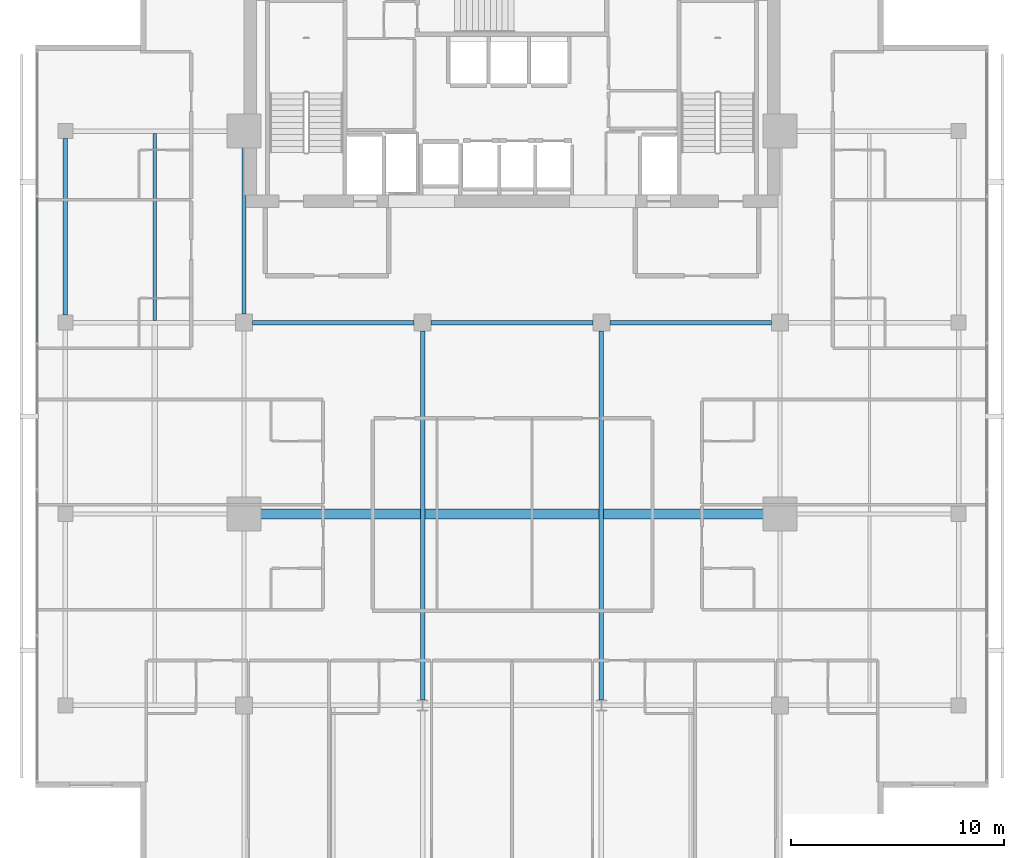
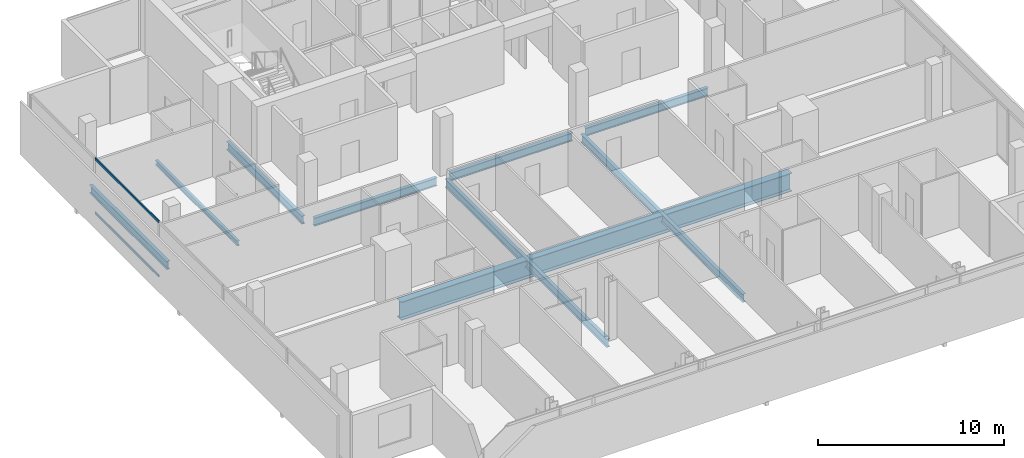
# One storey, part 9 of 25: 9 beams, 2 members, 1 element without a shape of its own.
"""IFC4 building model written with IfcOpenShell, lengths in metres."""

from ifc_helpers import new_model, si_unit, direction, frame, origin, origin_2d, place, context, subcontext, project, spatial, hollow_rectangle, i_section, extrude, material, layer, layer_set, material_profile, profile_set, type_object, element, aggregate, save


model = new_model("IFC4")

# Units and contexts
model_context = context("Model", 3, precision=1e-05, world=origin(), true_north=direction((0.0, 1.0)))
body_context = subcontext(model_context, "Body", "Model", "MODEL_VIEW")
ifc_project = project(units=[si_unit("LENGTHUNIT", "METRE"), si_unit("AREAUNIT", "SQUARE_METRE"), si_unit("VOLUMEUNIT", "CUBIC_METRE"), si_unit("PLANEANGLEUNIT", "RADIAN"), si_unit("MASSUNIT", "GRAM", prefix="KILO")], contexts=[model_context])

# Site, building, storey
site_placement = place(None, origin())
site = spatial("IfcSite", under=ifc_project, at=site_placement, CompositionType="ELEMENT")
building_placement = place(site_placement, origin())
building = spatial("IfcBuilding", under=site, at=building_placement, Name="Maruvema Waterfront Hotel and Observation Tower", CompositionType="ELEMENT")
storey_placement = place(building_placement, frame((0.0, 0.0, 250.949951171875)))
storey = spatial("IfcBuildingStorey", under=building, at=storey_placement, Name="L61", CompositionType="ELEMENT", Elevation=250.949951171875)

# Curtain wall, members
ifc_material_1 = material(Name="Anodised bronze aluminium and solar-control low-E IGU", Category="aluminium")
ifc_layer = layer(ifc_material_1, 0.159912109375, Name="Zone 3 Champagne Inner Thermal Curtain Wall System CW-04")
ifc_layer_set = layer_set([ifc_layer], Name="Anodised bronze aluminium and solar-control low-E IGU")
curtain_wall_type = type_object("IfcCurtainWallType", Name="Zone 3 Champagne Inner Thermal Curtain Wall System CW-04", PredefinedType="USERDEFINED", material=ifc_layer_set)
curtain_wall_placement = place(storey_placement, origin())
curtain_wall = element("IfcCurtainWall", 1, at=curtain_wall_placement, inside=storey, type_object=curtain_wall_type, Name="L61 Curtain Wall CW-L61-W", ObjectType="UNITISED CURTAIN WALL", PredefinedType="USERDEFINED")
ifc_material_2 = material(Name="Anodised architectural bronze aluminium", Category="aluminium")
ifc_material_profile_1 = material_profile(ifc_material_2, hollow_rectangle(XDim=0.070068359375, YDim=0.14990234375, WallThickness=0.00390625, at=origin_2d()), Name="ALU-T70x150")
ifc_profile_set_1 = profile_set([ifc_material_profile_1], Name="Anodised architectural bronze aluminium")
member_type = type_object("IfcMemberType", Name="Curtain Wall Horizontal Transom ALU-T70x150", PredefinedType="USERDEFINED", material=ifc_profile_set_1)
member_1_placement = place(storey_placement, frame((15.47998046875, 41.889892578125, 0.030029296875), z_axis=(0.0, -1.0, 0.0), x_axis=(1.0, 0.0, 0.0)))
member_1 = element("IfcMember", 2, at=member_1_placement, type_object=member_type, Name="CW-04 transom 2.1", ObjectType="TRANSOM", PredefinedType="USERDEFINED", context=body_context, shape_type="SweptSolid", body=[
    extrude(hollow_rectangle(XDim=0.070068359375, YDim=0.14990234375, WallThickness=0.00390625, at=origin_2d()), origin(), (0.0, 0.0, 1.0), 6.81982421875),
])
member_2_placement = place(storey_placement, frame((15.47998046875, 41.889892578125, 3.580078125), z_axis=(0.0, -1.0, 0.0), x_axis=(1.0, 0.0, 0.0)))
member_2 = element("IfcMember", 3, at=member_2_placement, type_object=member_type, Name="CW-04 transom 2.2", ObjectType="TRANSOM", PredefinedType="USERDEFINED", context=body_context, shape_type="SweptSolid", body=[
    extrude(hollow_rectangle(XDim=0.070068359375, YDim=0.14990234375, WallThickness=0.00390625, at=origin_2d()), origin(), (0.0, 0.0, 1.0), 6.81982421875),
])
aggregate(curtain_wall, [member_1, member_2])

# Beams
ifc_material_3 = material(Name="Steel ASTM A572 Grade 50", Category="steel")
ifc_material_profile_2 = material_profile(ifc_material_3, i_section(OverallWidth=0.208984375, OverallDepth=0.532958984375, WebThickness=0.01025390625, FlangeThickness=0.015625, FilletRadius=0.014892578125, at=origin_2d()), Name="W530x92.0")
ifc_profile_set_2 = profile_set([ifc_material_profile_2], Name="Steel ASTM A572 Grade 50")
beam_type_1 = type_object("IfcBeamType", Name="Primary Floor Girder W530x92.0", PredefinedType="BEAM", material=ifc_profile_set_2)
beam_1_placement = place(storey_placement, frame((25.60009765625, 36.0, -0.50634765625), z_axis=(1.0, 0.0, 0.0), x_axis=(0.0, 1.0, 0.0)))
element("IfcBeam", 4, at=beam_1_placement, inside=storey, type_object=beam_type_1, Name="L61 Floor Girder EW-13", PredefinedType="BEAM", context=body_context, shape_type="SweptSolid", body=[
    extrude(i_section(OverallWidth=0.208984375, OverallDepth=0.532958984375, WebThickness=0.01025390625, FlangeThickness=0.015625, FilletRadius=0.014892578125, at=origin_2d()), origin(), (0.0, 0.0, 1.0), 7.599853515625),
])
for number, where, z_axis, x_axis, name in (
    (5, (34.0, 36.0, -0.50634765625), (1.0, 0.0, 0.0), (0.0, 1.0, 0.0), "L61 Floor Girder EW-14"),
    (6, (42.39990234375, 36.0, -0.50634765625), (1.0, 0.0, 0.0), (0.0, 1.0, 0.0), "L61 Floor Girder EW-15"),
):
    element("IfcBeam", number, at=place(storey_placement, frame(where, z_axis=z_axis, x_axis=x_axis)), inside=storey, type_object=beam_type_1, Name=name, PredefinedType="BEAM", context=body_context, shape_type="SweptSolid", body=[
        extrude(i_section(OverallWidth=0.208984375, OverallDepth=0.532958984375, WebThickness=0.01025390625, FlangeThickness=0.015625, FilletRadius=0.014892578125, at=origin_2d()), origin(), (0.0, 0.0, 1.0), 7.60009765625),
    ])
beam_2_placement = place(storey_placement, frame((16.800048828125, 36.35009765625, -0.50634765625), z_axis=(0.0, 1.0, 0.0), x_axis=(-1.0, 0.0, 0.0)))
element("IfcBeam", 7, at=beam_2_placement, inside=storey, type_object=beam_type_1, Name="L61 Floor Girder NS-03", PredefinedType="BEAM", context=body_context, shape_type="SweptSolid", body=[
    extrude(i_section(OverallWidth=0.208984375, OverallDepth=0.532958984375, WebThickness=0.01025390625, FlangeThickness=0.015625, FilletRadius=0.014892578125, at=origin_2d()), origin(), (0.0, 0.0, 1.0), 8.2998046875),
])
beam_3_placement = place(storey_placement, frame((25.199951171875, 36.39990234375, -0.50634765625), z_axis=(0.0, 1.0, 0.0), x_axis=(-1.0, 0.0, 0.0)))
element("IfcBeam", 8, at=beam_3_placement, inside=storey, type_object=beam_type_1, Name="L61 Floor Girder NS-07", PredefinedType="BEAM", context=body_context, shape_type="SweptSolid", body=[
    extrude(i_section(OverallWidth=0.208984375, OverallDepth=0.532958984375, WebThickness=0.01025390625, FlangeThickness=0.015625, FilletRadius=0.014892578125, at=origin_2d()), origin(), (0.0, 0.0, 1.0), 8.10009765625),
])
for number, where, z_axis, x_axis, name in (
    (9, (33.60009765625, 18.25, -0.50634765625), (0.0, 1.0, 0.0), (-1.0, 0.0, 0.0), "L61 Floor Girder NS-09"),
    (10, (42.0, 18.25, -0.50634765625), (0.0, 1.0, 0.0), (-1.0, 0.0, 0.0), "L61 Floor Girder NS-11"),
):
    element("IfcBeam", number, at=place(storey_placement, frame(where, z_axis=z_axis, x_axis=x_axis)), inside=storey, type_object=beam_type_1, Name=name, PredefinedType="BEAM", context=body_context, shape_type="SweptSolid", body=[
        extrude(i_section(OverallWidth=0.208984375, OverallDepth=0.532958984375, WebThickness=0.01025390625, FlangeThickness=0.015625, FilletRadius=0.014892578125, at=origin_2d()), origin(), (0.0, 0.0, 1.0), 17.35009765625),
    ])
ifc_material_4 = material(Name="Steel ASTM A572 Grade 50", Category="steel")
ifc_material_profile_3 = material_profile(ifc_material_4, i_section(OverallWidth=0.1669921875, OverallDepth=0.31689453125, WebThickness=0.007568359375, FlangeThickness=0.01318359375, FilletRadius=0.012939453125, at=origin_2d()), Name="W310x52.0")
ifc_profile_set_3 = profile_set([ifc_material_profile_3], Name="Steel ASTM A572 Grade 50")
beam_type_2 = type_object("IfcBeamType", Name="Secondary Floor Joist W310x52.0", PredefinedType="JOIST", material=ifc_profile_set_3)
beam_4_placement = place(storey_placement, frame((21.0, 36.1044921875, -0.3984375), z_axis=(0.0, 1.0, 0.0), x_axis=(-1.0, 0.0, 0.0)))
element("IfcBeam", 11, at=beam_4_placement, inside=storey, type_object=beam_type_2, Name="L61 Secondary Floor Joist JS-03", PredefinedType="JOIST", context=body_context, shape_type="SweptSolid", body=[
    extrude(i_section(OverallWidth=0.1669921875, OverallDepth=0.31689453125, WebThickness=0.007568359375, FlangeThickness=0.01318359375, FilletRadius=0.012939453125, at=origin_2d()), origin(), (0.0, 0.0, 1.0), 8.791015625),
])
ifc_material_5 = material(Name="Steel ABNT NBR 7007 AR 415 (ASTM A572 Grade 50)", Category="steel")
ifc_material_profile_4 = material_profile(ifc_material_5, i_section(OverallWidth=0.449951171875, OverallDepth=1.199951171875, WebThickness=0.01904296875, FlangeThickness=0.031982421875, at=origin_2d()), Name="VS1200x366")
ifc_profile_set_4 = profile_set([ifc_material_profile_4], Name="Steel ABNT NBR 7007 AR 415 (ASTM A572 Grade 50)")
beam_type_3 = type_object("IfcBeamType", Name="Upper Setback Transfer Girder VS1200x366", PredefinedType="USERDEFINED", material=ifc_profile_set_4)
beam_5_placement = place(storey_placement, frame((25.699951171875, 27.0, -0.83984375), z_axis=(1.0, 0.0, 0.0), x_axis=(0.0, 1.0, 0.0)))
element("IfcBeam", 12, at=beam_5_placement, inside=storey, type_object=beam_type_3, Name="L61 Floor Girder EW-10", ObjectType="TRANSFER GIRDER", PredefinedType="USERDEFINED", context=body_context, shape_type="SweptSolid", body=[
    extrude(i_section(OverallWidth=0.449951171875, OverallDepth=1.199951171875, WebThickness=0.01904296875, FlangeThickness=0.031982421875, at=origin_2d()), origin(), (0.0, 0.0, 1.0), 24.199951171875),
])

save(model, "model.ifc")
